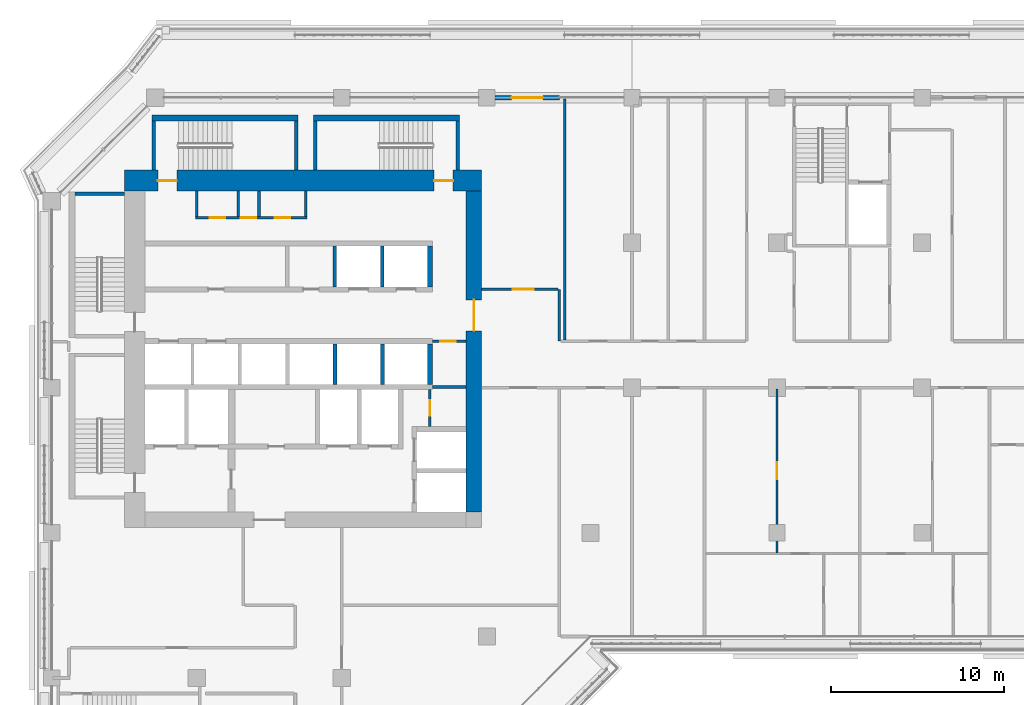
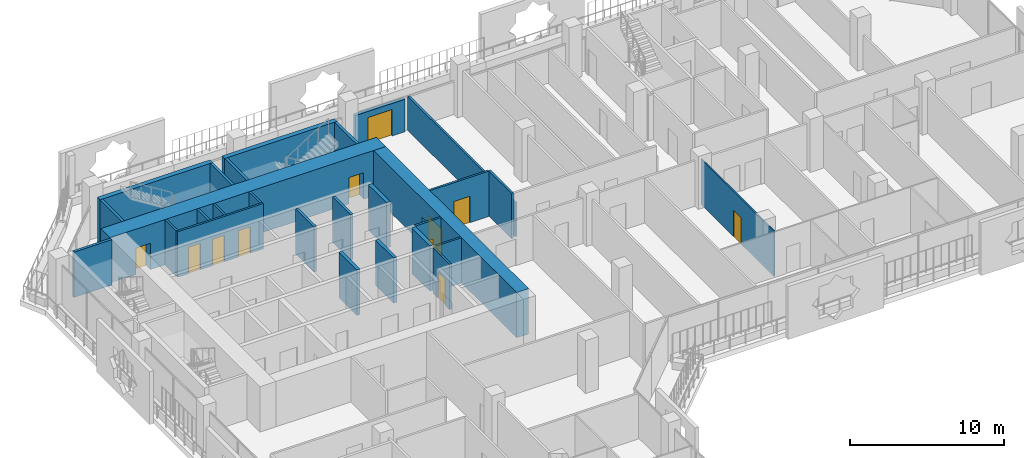
# One storey, part 12 of 22: 28 walls, 11 doors, 11 openings.
"""IFC4 building model written with IfcOpenShell, lengths in metres."""

from ifc_helpers import new_model, si_unit, direction, frame, frame_2d, origin, place, context, subcontext, project, spatial, rectangle, extrude, material, layer, layer_set, type_object, element, fill, save


model = new_model("IFC4")

# Units and contexts
model_context = context("Model", 3, precision=1e-05, world=origin(), true_north=direction((0.0, 1.0)))
body_context = subcontext(model_context, "Body", "Model", "MODEL_VIEW")
ifc_project = project(units=[si_unit("LENGTHUNIT", "METRE"), si_unit("AREAUNIT", "SQUARE_METRE"), si_unit("VOLUMEUNIT", "CUBIC_METRE"), si_unit("PLANEANGLEUNIT", "RADIAN"), si_unit("MASSUNIT", "GRAM", prefix="KILO")], contexts=[model_context])

# Site, building, storey
site_placement = place(None, origin())
site = spatial("IfcSite", under=ifc_project, at=site_placement, CompositionType="ELEMENT")
building_placement = place(site_placement, origin())
building = spatial("IfcBuilding", under=site, at=building_placement, Name="Kawkab Arch Medical Tower", CompositionType="ELEMENT")
storey_placement = place(building_placement, frame((0.0, 0.0, 204.60009765625)))
storey = spatial("IfcBuildingStorey", under=building, at=storey_placement, Name="L47", CompositionType="ELEMENT", Elevation=204.60009765625)

# Wall, openings, doors
ifc_material_1 = material(Name="Concrete C55/67", Category="concrete")
ifc_layer_1 = layer(ifc_material_1, 1.199951171875)
ifc_layer_set_1 = layer_set([ifc_layer_1], Name="Concrete C55/67")
wall_type_1 = type_object("IfcWallType", Name="Core ring wall 1200 C55/67", PredefinedType="SHEAR", material=ifc_layer_set_1)
wall_1_placement = place(storey_placement, frame((4.199951171875, -4.800048828125, 0.0), z_axis=(0.0, 0.0, 1.0), x_axis=(1.0, 0.0, 0.0)))
wall_1 = element("IfcWall", 1, at=wall_1_placement, inside=storey, type_object=wall_type_1, Name="L47 core wall", PredefinedType="SHEAR", context=body_context, shape_type="SweptSolid", body=[
    extrude(rectangle(XDim=20.699951171875, YDim=1.199951171875, at=frame_2d((10.35009765625, 0.0))), origin(), (0.0, 0.0, 1.0), 3.599853515625),
])
opening_1_placement = place(wall_1_placement, frame((1.949951171875, 0.0, 0.0)))
opening_1 = element("IfcOpeningElement", 2, at=opening_1_placement, cuts=wall_1, Name="Opening SD", PredefinedType="OPENING", context=body_context, shape_type="SweptSolid", body=[
    extrude(rectangle(XDim=1.10009765625, YDim=2.10009765625, at=frame_2d((0.550048828125, 1.050048828125))), frame((0.0, 0.60986328125, 0.0), z_axis=(0.0, -1.0, 0.0), x_axis=(1.0, 0.0, 0.0)), (0.0, 0.0, 1.0), 1.219970703125),
])
opening_2_placement = place(wall_1_placement, frame((17.949951171875, 0.0, 0.0)))
opening_2 = element("IfcOpeningElement", 3, at=opening_2_placement, cuts=wall_1, Name="Opening SD", PredefinedType="OPENING", context=body_context, shape_type="SweptSolid", body=[
    extrude(rectangle(XDim=1.10009765625, YDim=2.10009765625, at=frame_2d((0.550048828125, 1.050048828125))), frame((0.0, 0.60986328125, 0.0), z_axis=(0.0, -1.0, 0.0), x_axis=(1.0, 0.0, 0.0)), (0.0, 0.0, 1.0), 1.219970703125),
])
ifc_material_2 = material(Name="Hollow metal fire door leaf")
door_type_1 = type_object("IfcDoorType", Name="Exit stair door 1100", OperationType="SINGLE_SWING_LEFT", PredefinedType="DOOR", material=ifc_material_2)
door_1_placement = place(opening_1_placement, origin())
door_1 = element("IfcDoor", 4, at=door_1_placement, inside=storey, type_object=door_type_1, Name="L47 Exit stair ST3 door", OperationType="SINGLE_SWING_LEFT", OverallHeight=2.10009765625, OverallWidth=1.10009765625, PredefinedType="DOOR", context=body_context, shape_type="SweptSolid", body=[
    extrude(rectangle(XDim=1.10009765625, YDim=2.10009765625, at=frame_2d((0.550048828125, 1.050048828125))), frame((0.0, 0.02490234375, 0.0), z_axis=(0.0, -1.0, 0.0), x_axis=(1.0, 0.0, 0.0)), (0.0, 0.0, 1.0), 0.050048828125),
])
fill(opening_1, door_1)
door_2_placement = place(opening_2_placement, origin())
door_2 = element("IfcDoor", 5, at=door_2_placement, inside=storey, type_object=door_type_1, Name="L47 Exit stair ST4 door", OperationType="SINGLE_SWING_LEFT", OverallHeight=2.10009765625, OverallWidth=1.10009765625, PredefinedType="DOOR", context=body_context, shape_type="SweptSolid", body=[
    extrude(rectangle(XDim=1.10009765625, YDim=2.10009765625, at=frame_2d((0.550048828125, 1.050048828125))), frame((0.0, 0.02490234375, 0.0), z_axis=(0.0, -1.0, 0.0), x_axis=(1.0, 0.0, 0.0)), (0.0, 0.0, 1.0), 0.050048828125),
])
fill(opening_2, door_2)

# Wall, opening, door
ifc_material_3 = material(Name="Concrete C55/67", Category="concrete")
ifc_layer_2 = layer(ifc_material_3, 0.89990234375)
ifc_layer_set_2 = layer_set([ifc_layer_2], Name="Concrete C55/67")
wall_type_2 = type_object("IfcWallType", Name="Core ring wall 900 C55/67", PredefinedType="SHEAR", material=ifc_layer_set_2)
wall_2_placement = place(storey_placement, frame((24.449951171875, -24.0, 0.0), z_axis=(0.0, 0.0, 1.0), x_axis=(0.0, 1.0, 0.0)))
wall_2 = element("IfcWall", 6, at=wall_2_placement, inside=storey, type_object=wall_type_2, Name="L47 core wall", PredefinedType="SHEAR", context=body_context, shape_type="SweptSolid", body=[
    extrude(rectangle(XDim=18.60009765625, YDim=0.89990234375, at=frame_2d((9.300048828125, 0.0))), origin(), (0.0, 0.0, 1.0), 3.599853515625),
])
opening_3_placement = place(wall_2_placement, frame((10.5, 0.0, 0.0)))
opening_3 = element("IfcOpeningElement", 7, at=opening_3_placement, cuts=wall_2, Name="Opening PD", PredefinedType="OPENING", context=body_context, shape_type="SweptSolid", body=[
    extrude(rectangle(XDim=1.800048828125, YDim=2.10009765625, at=frame_2d((0.89990234375, 1.050048828125))), frame((0.0, 0.4599609375, 0.0), z_axis=(0.0, -1.0, 0.0), x_axis=(1.0, 0.0, 0.0)), (0.0, 0.0, 1.0), 0.919921875),
])
ifc_material_4 = material(Name="Hollow metal fire door leaf")
door_type_2 = type_object("IfcDoorType", Name="Core entrance doors 1800", OperationType="DOUBLE_DOOR_SINGLE_SWING", PredefinedType="DOOR", material=ifc_material_4)
door_3_placement = place(opening_3_placement, origin())
door_3 = element("IfcDoor", 8, at=door_3_placement, inside=storey, type_object=door_type_2, Name="L47 East entrance doors", OperationType="DOUBLE_DOOR_SINGLE_SWING", OverallHeight=2.10009765625, OverallWidth=1.800048828125, PredefinedType="DOOR", context=body_context, shape_type="SweptSolid", body=[
    extrude(rectangle(XDim=1.800048828125, YDim=2.10009765625, at=frame_2d((0.89990234375, 1.050048828125))), frame((0.0, 0.02490234375, 0.0), z_axis=(0.0, -1.0, 0.0), x_axis=(1.0, 0.0, 0.0)), (0.0, 0.0, 1.0), 0.050048828125),
])
fill(opening_3, door_3)

ifc_material_5 = material(Name="Gypsum board on steel studs", Category="steel")
ifc_layer_3 = layer(ifc_material_5, 0.14990234375)
ifc_layer_set_3 = layer_set([ifc_layer_3], Name="Gypsum board on steel studs")
wall_type_3 = type_object("IfcWallType", Name="Core room partition 150", PredefinedType="PARTITIONING", material=ifc_layer_set_3)
wall_3_placement = place(storey_placement, frame((21.89990234375, -19.050048828125, 0.0), z_axis=(0.0, 0.0, 1.0), x_axis=(0.0, 1.0, 0.0)))
wall_3 = element("IfcWall", 9, at=wall_3_placement, inside=storey, type_object=wall_type_3, Name="L47 core room partition", PredefinedType="PARTITIONING", context=body_context, shape_type="SweptSolid", body=[
    extrude(rectangle(XDim=2.150146484375, YDim=0.14990234375, at=frame_2d((1.0751953125, 0.0))), origin(), (0.0, 0.0, 1.0), 3.599853515625),
])
opening_4_placement = place(wall_3_placement, frame((0.625, 0.0, 0.0)))
opening_4 = element("IfcOpeningElement", 10, at=opening_4_placement, cuts=wall_3, Name="Opening RD", PredefinedType="OPENING", context=body_context, shape_type="SweptSolid", body=[
    extrude(rectangle(XDim=0.89990234375, YDim=2.10009765625, at=frame_2d((0.449951171875, 1.050048828125))), frame((0.0, 0.0849609375, 0.0), z_axis=(0.0, -1.0, 0.0), x_axis=(1.0, 0.0, 0.0)), (0.0, 0.0, 1.0), 0.169921875),
])
ifc_material_6 = material(Name="Hollow metal fire door leaf")
door_type_3 = type_object("IfcDoorType", Name="Core room door 900", OperationType="SINGLE_SWING_LEFT", PredefinedType="DOOR", material=ifc_material_6)
door_4_placement = place(opening_4_placement, origin())
door_4 = element("IfcDoor", 11, at=door_4_placement, inside=storey, type_object=door_type_3, Name="L47 Accessible WC door", OperationType="SINGLE_SWING_LEFT", OverallHeight=2.10009765625, OverallWidth=0.89990234375, PredefinedType="DOOR", context=body_context, shape_type="SweptSolid", body=[
    extrude(rectangle(XDim=0.89990234375, YDim=2.10009765625, at=frame_2d((0.449951171875, 1.050048828125))), frame((0.0, 0.02490234375, 0.0), z_axis=(0.0, -1.0, 0.0), x_axis=(1.0, 0.0, 0.0)), (0.0, 0.0, 1.0), 0.050048828125),
])
fill(opening_4, door_4)

# Wall
wall_4_placement = place(storey_placement, frame((22.050048828125, -16.75, 0.0), z_axis=(0.0, 0.0, 1.0), x_axis=(1.0, 0.0, 0.0)))
element("IfcWall", 12, at=wall_4_placement, inside=storey, type_object=wall_type_3, Name="L47 core room partition", PredefinedType="PARTITIONING", context=body_context, shape_type="SweptSolid", body=[
    extrude(rectangle(XDim=1.949951171875, YDim=0.14990234375, at=frame_2d((0.97509765625, 0.0))), origin(), (0.0, 0.0, 1.0), 3.599853515625),
])

# Wall, opening, door
wall_5_placement = place(storey_placement, frame((22.050048828125, -14.10009765625, 0.0), z_axis=(0.0, 0.0, 1.0), x_axis=(1.0, 0.0, 0.0)))
wall_5 = element("IfcWall", 13, at=wall_5_placement, inside=storey, type_object=wall_type_3, Name="L47 core room partition", PredefinedType="PARTITIONING", context=body_context, shape_type="SweptSolid", body=[
    extrude(rectangle(XDim=1.949951171875, YDim=0.14990234375, at=frame_2d((0.97509765625, 0.0))), origin(), (0.0, 0.0, 1.0), 3.599853515625),
])
opening_5_placement = place(wall_5_placement, frame((0.449951171875, 0.0, 0.0)))
opening_5 = element("IfcOpeningElement", 14, at=opening_5_placement, cuts=wall_5, Name="Opening RD", PredefinedType="OPENING", context=body_context, shape_type="SweptSolid", body=[
    extrude(rectangle(XDim=0.89990234375, YDim=2.10009765625, at=frame_2d((0.449951171875, 1.050048828125))), frame((0.0, 0.0849609375, 0.0), z_axis=(0.0, -1.0, 0.0), x_axis=(1.0, 0.0, 0.0)), (0.0, 0.0, 1.0), 0.169921875),
])
door_5_placement = place(opening_5_placement, origin())
door_5 = element("IfcDoor", 15, at=door_5_placement, inside=storey, type_object=door_type_3, Name="L47 Medication store door", OperationType="SINGLE_SWING_LEFT", OverallHeight=2.10009765625, OverallWidth=0.89990234375, PredefinedType="DOOR", context=body_context, shape_type="SweptSolid", body=[
    extrude(rectangle(XDim=0.89990234375, YDim=2.10009765625, at=frame_2d((0.449951171875, 1.050048828125))), frame((0.0, 0.02490234375, 0.0), z_axis=(0.0, -1.0, 0.0), x_axis=(1.0, 0.0, 0.0)), (0.0, 0.0, 1.0), 0.050048828125),
])
fill(opening_5, door_5)

# Wall, openings, doors
wall_6_placement = place(storey_placement, frame((8.324951171875, -6.949951171875, 0.0), z_axis=(0.0, 0.0, 1.0), x_axis=(1.0, 0.0, 0.0)))
wall_6 = element("IfcWall", 16, at=wall_6_placement, inside=storey, type_object=wall_type_3, Name="L47 core room partition", PredefinedType="PARTITIONING", context=body_context, shape_type="SweptSolid", body=[
    extrude(rectangle(XDim=6.449951171875, YDim=0.14990234375, at=frame_2d((3.22509765625, 0.0))), origin(), (0.0, 0.0, 1.0), 3.599853515625),
])
opening_6_placement = place(wall_6_placement, frame((0.824951171875, 0.0, 0.0)))
opening_6 = element("IfcOpeningElement", 17, at=opening_6_placement, cuts=wall_6, Name="Opening RD", PredefinedType="OPENING", context=body_context, shape_type="SweptSolid", body=[
    extrude(rectangle(XDim=0.89990234375, YDim=2.10009765625, at=frame_2d((0.449951171875, 1.050048828125))), frame((0.0, 0.0849609375, 0.0), z_axis=(0.0, -1.0, 0.0), x_axis=(1.0, 0.0, 0.0)), (0.0, 0.0, 1.0), 0.169921875),
])
opening_7_placement = place(wall_6_placement, frame((2.625, 0.0, 0.0)))
opening_7 = element("IfcOpeningElement", 18, at=opening_7_placement, cuts=wall_6, Name="Opening RD", PredefinedType="OPENING", context=body_context, shape_type="SweptSolid", body=[
    extrude(rectangle(XDim=0.89990234375, YDim=2.10009765625, at=frame_2d((0.449951171875, 1.050048828125))), frame((0.0, 0.0849609375, 0.0), z_axis=(0.0, -1.0, 0.0), x_axis=(1.0, 0.0, 0.0)), (0.0, 0.0, 1.0), 0.169921875),
])
opening_8_placement = place(wall_6_placement, frame((4.574951171875, 0.0, 0.0)))
opening_8 = element("IfcOpeningElement", 19, at=opening_8_placement, cuts=wall_6, Name="Opening RD", PredefinedType="OPENING", context=body_context, shape_type="SweptSolid", body=[
    extrude(rectangle(XDim=0.89990234375, YDim=2.10009765625, at=frame_2d((0.449951171875, 1.050048828125))), frame((0.0, 0.0849609375, 0.0), z_axis=(0.0, -1.0, 0.0), x_axis=(1.0, 0.0, 0.0)), (0.0, 0.0, 1.0), 0.169921875),
])
door_6_placement = place(opening_6_placement, origin())
door_6 = element("IfcDoor", 20, at=door_6_placement, inside=storey, type_object=door_type_3, Name="L47 Housekeeping store door", OperationType="SINGLE_SWING_LEFT", OverallHeight=2.10009765625, OverallWidth=0.89990234375, PredefinedType="DOOR", context=body_context, shape_type="SweptSolid", body=[
    extrude(rectangle(XDim=0.89990234375, YDim=2.10009765625, at=frame_2d((0.449951171875, 1.050048828125))), frame((0.0, 0.02490234375, 0.0), z_axis=(0.0, -1.0, 0.0), x_axis=(1.0, 0.0, 0.0)), (0.0, 0.0, 1.0), 0.050048828125),
])
fill(opening_6, door_6)
door_7_placement = place(opening_7_placement, origin())
door_7 = element("IfcDoor", 21, at=door_7_placement, inside=storey, type_object=door_type_3, Name="L47 Electrical riser room door", OperationType="SINGLE_SWING_LEFT", OverallHeight=2.10009765625, OverallWidth=0.89990234375, PredefinedType="DOOR", context=body_context, shape_type="SweptSolid", body=[
    extrude(rectangle(XDim=0.89990234375, YDim=2.10009765625, at=frame_2d((0.449951171875, 1.050048828125))), frame((0.0, 0.02490234375, 0.0), z_axis=(0.0, -1.0, 0.0), x_axis=(1.0, 0.0, 0.0)), (0.0, 0.0, 1.0), 0.050048828125),
])
fill(opening_7, door_7)
door_8_placement = place(opening_8_placement, origin())
door_8 = element("IfcDoor", 22, at=door_8_placement, inside=storey, type_object=door_type_3, Name="L47 Equipment store door", OperationType="SINGLE_SWING_LEFT", OverallHeight=2.10009765625, OverallWidth=0.89990234375, PredefinedType="DOOR", context=body_context, shape_type="SweptSolid", body=[
    extrude(rectangle(XDim=0.89990234375, YDim=2.10009765625, at=frame_2d((0.449951171875, 1.050048828125))), frame((0.0, 0.02490234375, 0.0), z_axis=(0.0, -1.0, 0.0), x_axis=(1.0, 0.0, 0.0)), (0.0, 0.0, 1.0), 0.050048828125),
])
fill(opening_8, door_8)

# Walls
for number, where, z_axis, x_axis, name in (
    (23, (8.39990234375, -6.875, 0.0), (0.0, 0.0, 1.0), (0.0, 1.0, 0.0), "L47 core room partition"),
    (24, (10.800048828125, -6.875, 0.0), (0.0, 0.0, 1.0), (0.0, 1.0, 0.0), "L47 core room partition"),
    (25, (12.0, -6.875, 0.0), (0.0, 0.0, 1.0), (0.0, 1.0, 0.0), "L47 core room partition"),
    (26, (14.699951171875, -6.875, 0.0), (0.0, 0.0, 1.0), (0.0, 1.0, 0.0), "L47 core room partition"),
):
    element("IfcWall", number, at=place(storey_placement, frame(where, z_axis=z_axis, x_axis=x_axis)), inside=storey, type_object=wall_type_3, Name=name, PredefinedType="PARTITIONING", context=body_context, shape_type="SweptSolid", body=[
        extrude(rectangle(XDim=1.47509765625, YDim=0.14990234375, at=frame_2d((0.737548828125, 0.0))), origin(), (0.0, 0.0, 1.0), 3.599853515625),
    ])
ifc_material_7 = material(Name="Concrete C60/75", Category="concrete")
ifc_layer_4 = layer(ifc_material_7, 0.25)
ifc_layer_set_4 = layer_set([ifc_layer_4], Name="Concrete C60/75")
wall_type_4 = type_object("IfcWallType", Name="Core shear wall 250 C60/75", PredefinedType="SHEAR", material=ifc_layer_set_4)
for number, where, z_axis, x_axis, name in (
    (27, (16.39990234375, -16.60009765625, 0.0), (0.0, 0.0, 1.0), (0.0, 1.0, 0.0), "L47 core shear wall"),
    (28, (19.14990234375, -16.60009765625, 0.0), (0.0, 0.0, 1.0), (0.0, 1.0, 0.0), "L47 core shear wall"),
):
    element("IfcWall", number, at=place(storey_placement, frame(where, z_axis=z_axis, x_axis=x_axis)), inside=storey, type_object=wall_type_4, Name=name, PredefinedType="SHEAR", context=body_context, shape_type="SweptSolid", body=[
        extrude(rectangle(XDim=2.35009765625, YDim=0.25, at=frame_2d((1.175048828125, 0.0))), origin(), (0.0, 0.0, 1.0), 3.599853515625),
    ])
ifc_material_8 = material(Name="Concrete C60/75", Category="concrete")
ifc_layer_5 = layer(ifc_material_8, 0.300048828125)
ifc_layer_set_5 = layer_set([ifc_layer_5], Name="Concrete C60/75")
wall_type_5 = type_object("IfcWallType", Name="Core shear wall 300 C60/75", PredefinedType="SHEAR", material=ifc_layer_set_5)
wall_7_placement = place(storey_placement, frame((21.89990234375, -10.949951171875, 0.0), z_axis=(0.0, 0.0, 1.0), x_axis=(0.0, 1.0, 0.0)))
element("IfcWall", 29, at=wall_7_placement, inside=storey, type_object=wall_type_5, Name="L47 core shear wall", PredefinedType="SHEAR", context=body_context, shape_type="SweptSolid", body=[
    extrude(rectangle(XDim=2.349853515625, YDim=0.300048828125, at=frame_2d((1.1748046875, 0.0))), origin(), (0.0, 0.0, 1.0), 3.599853515625),
])
wall_8_placement = place(storey_placement, frame((21.89990234375, -16.60009765625, 0.0), z_axis=(0.0, 0.0, 1.0), x_axis=(0.0, 1.0, 0.0)))
element("IfcWall", 30, at=wall_8_placement, inside=storey, type_object=wall_type_5, Name="L47 core shear wall", PredefinedType="SHEAR", context=body_context, shape_type="SweptSolid", body=[
    extrude(rectangle(XDim=2.35009765625, YDim=0.300048828125, at=frame_2d((1.175048828125, 0.0))), origin(), (0.0, 0.0, 1.0), 3.599853515625),
])

# Wall, opening, door
ifc_material_9 = material(Name="Bronze clad insulated wall panel")
ifc_layer_6 = layer(ifc_material_9, 0.25)
ifc_layer_set_6 = layer_set([ifc_layer_6], Name="Bronze clad insulated wall panel")
wall_type_6 = type_object("IfcWallType", Name="External wall bay 250", PredefinedType="SOLIDWALL", material=ifc_layer_set_6)
wall_9_placement = place(storey_placement, frame((29.39990234375, 0.0, 0.0), z_axis=(0.0, 0.0, 1.0), x_axis=(-1.0, 0.0, 0.0)))
wall_9 = element("IfcWall", 31, at=wall_9_placement, inside=storey, type_object=wall_type_6, Name="External wall bay L47.R11.4.2", PredefinedType="SOLIDWALL", context=body_context, shape_type="SweptSolid", body=[
    extrude(rectangle(XDim=3.724853515625, YDim=0.25, at=frame_2d((1.8623046875, 0.0))), origin(), (0.0, 0.0, 1.0), 2.579833984375),
])
opening_9_placement = place(wall_9_placement, frame((0.96240234375, 0.0, 0.0)))
opening_9 = element("IfcOpeningElement", 32, at=opening_9_placement, cuts=wall_9, Name="Opening W42-701", PredefinedType="OPENING", context=body_context, shape_type="SweptSolid", body=[
    extrude(rectangle(XDim=1.800048828125, YDim=2.10009765625, at=frame_2d((0.89990234375, 1.050048828125))), frame((0.0, 0.135009765625, 0.0), z_axis=(0.0, -1.0, 0.0), x_axis=(1.0, 0.0, 0.0)), (0.0, 0.0, 1.0), 0.27001953125),
])
ifc_material_10 = material(Name="Bronze anodised aluminium door with tinted glass", Category="aluminium")
door_type_4 = type_object("IfcDoorType", Name="Double external door 1800 x 2100", OperationType="DOUBLE_DOOR_SINGLE_SWING", PredefinedType="DOOR", material=ifc_material_10)
door_9_placement = place(opening_9_placement, origin())
door_9 = element("IfcDoor", 33, at=door_9_placement, inside=storey, type_object=door_type_4, Name="External door L47.R11.4.2", OperationType="DOUBLE_DOOR_SINGLE_SWING", OverallHeight=2.10009765625, OverallWidth=1.800048828125, PredefinedType="DOOR", context=body_context, shape_type="SweptSolid", body=[
    extrude(rectangle(XDim=1.800048828125, YDim=2.10009765625, at=frame_2d((0.89990234375, 1.050048828125))), frame((0.0, 0.02490234375, 0.0), z_axis=(0.0, -1.0, 0.0), x_axis=(1.0, 0.0, 0.0)), (0.0, 0.0, 1.0), 0.050048828125),
])
fill(opening_9, door_9)

# Walls
ifc_material_11 = material(Name="Dense concrete blockwork", Category="masonry")
ifc_layer_7 = layer(ifc_material_11, 0.199951171875)
ifc_layer_set_7 = layer_set([ifc_layer_7], Name="Dense concrete blockwork")
wall_type_7 = type_object("IfcWallType", Name="Lift shaft partition 200", PredefinedType="PARTITIONING", material=ifc_layer_set_7)
for number, where, z_axis, x_axis, name in (
    (34, (16.39990234375, -10.949951171875, 0.0), (0.0, 0.0, 1.0), (0.0, 1.0, 0.0), "L47 lift shaft partition"),
    (35, (19.14990234375, -10.949951171875, 0.0), (0.0, 0.0, 1.0), (0.0, 1.0, 0.0), "L47 lift shaft partition"),
):
    element("IfcWall", number, at=place(storey_placement, frame(where, z_axis=z_axis, x_axis=x_axis)), inside=storey, type_object=wall_type_7, Name=name, PredefinedType="PARTITIONING", context=body_context, shape_type="SweptSolid", body=[
        extrude(rectangle(XDim=2.349853515625, YDim=0.199951171875, at=frame_2d((1.1748046875, 0.0))), origin(), (0.0, 0.0, 1.0), 3.599853515625),
    ])

# Wall, opening, door
ifc_material_12 = material(Name="Gypsum board partition on steel studs", Category="steel")
ifc_layer_8 = layer(ifc_material_12, 0.10009765625)
ifc_layer_set_8 = layer_set([ifc_layer_8], Name="Gypsum board partition on steel studs")
wall_type_8 = type_object("IfcWallType", Name="Partition 100", PredefinedType="PARTITIONING", material=ifc_layer_set_8)
wall_10_placement = place(storey_placement, frame((42.0, -26.35009765625, 0.0), z_axis=(0.0, 0.0, 1.0), x_axis=(0.0, 1.0, 0.0)))
wall_10 = element("IfcWall", 36, at=wall_10_placement, inside=storey, type_object=wall_type_8, Name="Partition 100 w006", PredefinedType="PARTITIONING", context=body_context, shape_type="SweptSolid", body=[
    extrude(rectangle(XDim=9.47509765625, YDim=0.10009765625, at=frame_2d((4.737548828125, 0.0))), origin(), (0.0, 0.0, 1.0), 3.599853515625),
])
opening_10_placement = place(wall_10_placement, frame((4.25, 0.0, 0.0)))
opening_10 = element("IfcOpeningElement", 37, at=opening_10_placement, cuts=wall_10, Name="Opening W42-013", PredefinedType="OPENING", context=body_context, shape_type="SweptSolid", body=[
    extrude(rectangle(XDim=1.0, YDim=2.10009765625, at=frame_2d((0.5, 1.050048828125))), frame((0.0, 0.06005859375, 0.0), z_axis=(0.0, -1.0, 0.0), x_axis=(1.0, 0.0, 0.0)), (0.0, 0.0, 1.0), 0.1201171875),
])
ifc_material_13 = material(Name="Timber door leaf", Category="wood")
door_type_5 = type_object("IfcDoorType", Name="Single door 1000x2100", OperationType="NOTDEFINED", PredefinedType="DOOR", material=ifc_material_13)
door_10_placement = place(opening_10_placement, origin())
door_10 = element("IfcDoor", 38, at=door_10_placement, inside=storey, type_object=door_type_5, Name="Door W42-013", OperationType="SINGLE_SWING_RIGHT", OverallHeight=2.10009765625, OverallWidth=1.0, PredefinedType="DOOR", context=body_context, shape_type="SweptSolid", body=[
    extrude(rectangle(XDim=1.0, YDim=2.10009765625, at=frame_2d((0.5, 1.050048828125))), frame((0.0, 0.02490234375, 0.0), z_axis=(0.0, -1.0, 0.0), x_axis=(1.0, 0.0, 0.0)), (0.0, 0.0, 1.0), 0.050048828125),
])
fill(opening_10, door_10)

ifc_material_14 = material(Name="Gypsum board partition on steel studs, mineral wool", Category="steel")
ifc_layer_9 = layer(ifc_material_14, 0.14990234375)
ifc_layer_set_9 = layer_set([ifc_layer_9], Name="Gypsum board partition on steel studs, mineral wool")
wall_type_9 = type_object("IfcWallType", Name="Partition 150", PredefinedType="PARTITIONING", material=ifc_layer_set_9)
wall_11_placement = place(storey_placement, frame((24.89990234375, -11.10009765625, 0.0), z_axis=(0.0, 0.0, 1.0), x_axis=(1.0, 0.0, 0.0)))
wall_11 = element("IfcWall", 39, at=wall_11_placement, inside=storey, type_object=wall_type_9, Name="Partition 150 w027", PredefinedType="PARTITIONING", context=body_context, shape_type="SweptSolid", body=[
    extrude(rectangle(XDim=4.424072265625, YDim=0.14990234375, at=frame_2d((2.2119140625, 0.0))), origin(), (0.0, 0.0, 1.0), 3.599853515625),
])
opening_11_placement = place(wall_11_placement, frame((1.800048828125, 0.0, 0.0)))
opening_11 = element("IfcOpeningElement", 40, at=opening_11_placement, cuts=wall_11, Name="Opening W42-026", PredefinedType="OPENING", context=body_context, shape_type="SweptSolid", body=[
    extrude(rectangle(XDim=1.199951171875, YDim=2.10009765625, at=frame_2d((0.60009765625, 1.050048828125))), frame((0.0, 0.0849609375, 0.0), z_axis=(0.0, -1.0, 0.0), x_axis=(1.0, 0.0, 0.0)), (0.0, 0.0, 1.0), 0.169921875),
])
ifc_material_15 = material(Name="Hollow metal door leaf")
door_type_6 = type_object("IfcDoorType", Name="Single door 1200x2100 FD30S", OperationType="NOTDEFINED", PredefinedType="DOOR", material=ifc_material_15)
door_11_placement = place(opening_11_placement, origin())
door_11 = element("IfcDoor", 41, at=door_11_placement, inside=storey, type_object=door_type_6, Name="Door W42-026", OperationType="SINGLE_SWING_RIGHT", OverallHeight=2.10009765625, OverallWidth=1.199951171875, PredefinedType="DOOR", context=body_context, shape_type="SweptSolid", body=[
    extrude(rectangle(XDim=1.199951171875, YDim=2.10009765625, at=frame_2d((0.60009765625, 1.050048828125))), frame((0.0, 0.02490234375, 0.0), z_axis=(0.0, -1.0, 0.0), x_axis=(1.0, 0.0, 0.0)), (0.0, 0.0, 1.0), 0.050048828125),
])
fill(opening_11, door_11)

# Walls
wall_12_placement = place(storey_placement, frame((29.39990234375, -14.10009765625, 0.0), z_axis=(0.0, 0.0, 1.0), x_axis=(0.0, 1.0, 0.0)))
element("IfcWall", 42, at=wall_12_placement, inside=storey, type_object=wall_type_9, Name="Partition 150 w041", PredefinedType="PARTITIONING", context=body_context, shape_type="SweptSolid", body=[
    extrude(rectangle(XDim=2.998046875, YDim=0.14990234375, at=frame_2d((1.4990234375, 0.0))), origin(), (0.0, 0.0, 1.0), 3.599853515625),
])
wall_13_placement = place(storey_placement, frame((29.699951171875, -14.02490234375, 0.0), z_axis=(0.0, 0.0, 1.0), x_axis=(0.0, 1.0, 0.0)))
element("IfcWall", 43, at=wall_13_placement, inside=storey, type_object=wall_type_9, Name="Partition 150 w042", PredefinedType="PARTITIONING", context=body_context, shape_type="SweptSolid", body=[
    extrude(rectangle(XDim=13.94482421875, YDim=0.14990234375, at=frame_2d((6.972412109375, 0.0))), origin(), (0.0, 0.0, 1.0), 2.699951171875),
])
ifc_material_16 = material(Name="Concrete C50/60", Category="concrete")
ifc_layer_10 = layer(ifc_material_16, 0.199951171875)
ifc_layer_set_10 = layer_set([ifc_layer_10], Name="Concrete C50/60")
wall_type_10 = type_object("IfcWallType", Name="Stair enclosure wall 200 C50/60", PredefinedType="SHEAR", material=ifc_layer_set_10)
for number, where, z_axis, x_axis, name in (
    (44, (1.35009765625, -5.550048828125, 0.0), (0.0, 0.0, 1.0), (1.0, 0.0, 0.0), "L47 stair enclosure wall"),
    (45, (5.89990234375, -4.199951171875, 0.0), (0.0, 0.0, 1.0), (0.0, 1.0, 0.0), "L47 stair enclosure wall"),
    (46, (14.14990234375, -4.199951171875, 0.0), (0.0, 0.0, 1.0), (0.0, 1.0, 0.0), "L47 stair enclosure wall"),
    (47, (15.25, -4.199951171875, 0.0), (0.0, 0.0, 1.0), (0.0, 1.0, 0.0), "L47 stair enclosure wall"),
    (48, (23.5, -4.199951171875, 0.0), (0.0, 0.0, 1.0), (0.0, 1.0, 0.0), "L47 stair enclosure wall"),
):
    element("IfcWall", number, at=place(storey_placement, frame(where, z_axis=z_axis, x_axis=x_axis)), inside=storey, type_object=wall_type_10, Name=name, PredefinedType="SHEAR", context=body_context, shape_type="SweptSolid", body=[
        extrude(rectangle(XDim=2.849853515625, YDim=0.199951171875, at=frame_2d((1.4248046875, 0.0))), origin(), (0.0, 0.0, 1.0), 3.599853515625),
    ])
ifc_material_17 = material(Name="Concrete C50/60", Category="concrete")
ifc_layer_11 = layer(ifc_material_17, 0.35009765625)
ifc_layer_set_11 = layer_set([ifc_layer_11], Name="Concrete C50/60")
wall_type_11 = type_object("IfcWallType", Name="Stair enclosure wall 350 C50/60", PredefinedType="SHEAR", material=ifc_layer_set_11)
wall_14_placement = place(storey_placement, frame((5.800048828125, -1.175048828125, 0.0), z_axis=(0.0, 0.0, 1.0), x_axis=(1.0, 0.0, 0.0)))
element("IfcWall", 49, at=wall_14_placement, inside=storey, type_object=wall_type_11, Name="L47 stair enclosure wall", PredefinedType="SHEAR", context=body_context, shape_type="SweptSolid", body=[
    extrude(rectangle(XDim=8.449951171875, YDim=0.35009765625, at=frame_2d((4.22509765625, 0.0))), origin(), (0.0, 0.0, 1.0), 3.599853515625),
])
wall_15_placement = place(storey_placement, frame((15.14990234375, -1.175048828125, 0.0), z_axis=(0.0, 0.0, 1.0), x_axis=(1.0, 0.0, 0.0)))
element("IfcWall", 50, at=wall_15_placement, inside=storey, type_object=wall_type_11, Name="L47 stair enclosure wall", PredefinedType="SHEAR", context=body_context, shape_type="SweptSolid", body=[
    extrude(rectangle(XDim=8.4501953125, YDim=0.35009765625, at=frame_2d((4.22509765625, 0.0))), origin(), (0.0, 0.0, 1.0), 3.599853515625),
])

save(model, "model.ifc")
